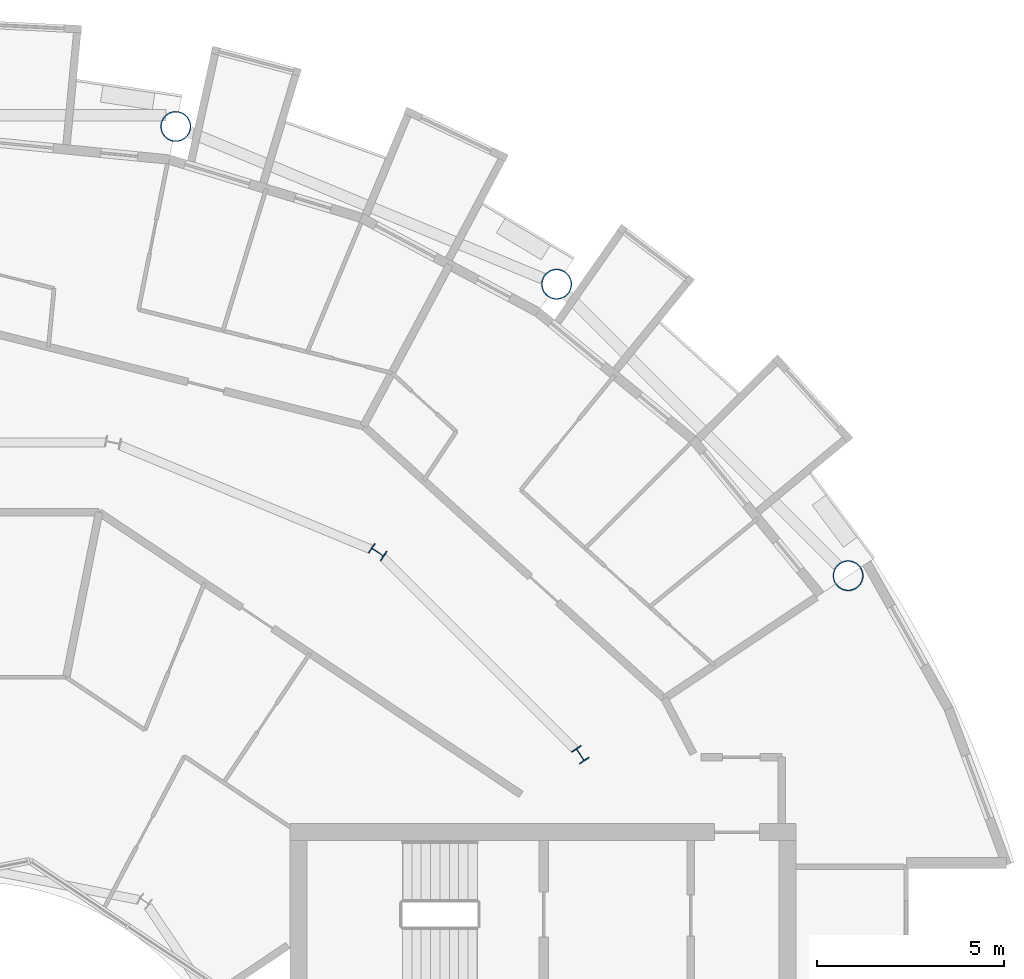
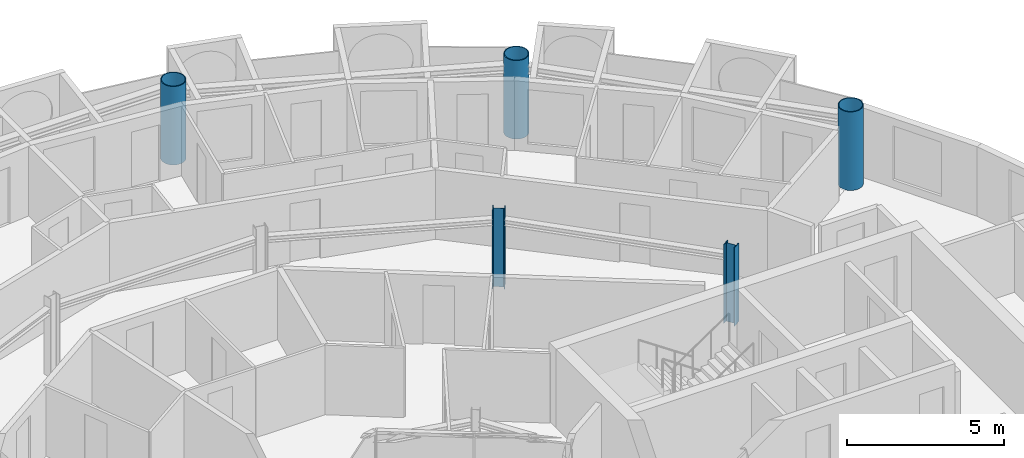
# One storey, part 5 of 28: 5 columns.
"""IFC4 building model written with IfcOpenShell, lengths in metres."""

from ifc_helpers import new_model, si_unit, direction, frame, origin, origin_2d, place, context, subcontext, project, spatial, hollow_circle, i_section, extrude, material, material_profile, profile_set, type_object, element, save


model = new_model("IFC4")

# Units and contexts
model_context = context("Model", 3, precision=1e-05, world=origin(), true_north=direction((0.0, 1.0)))
body_context = subcontext(model_context, "Body", "Model", "MODEL_VIEW")
ifc_project = project(units=[si_unit("LENGTHUNIT", "METRE"), si_unit("AREAUNIT", "SQUARE_METRE"), si_unit("VOLUMEUNIT", "CUBIC_METRE"), si_unit("PLANEANGLEUNIT", "RADIAN"), si_unit("MASSUNIT", "GRAM", prefix="KILO")], contexts=[model_context])

# Site, building, storey
site_placement = place(None, origin())
site = spatial("IfcSite", under=ifc_project, at=site_placement, CompositionType="ELEMENT")
building_placement = place(site_placement, origin())
building = spatial("IfcBuilding", under=site, at=building_placement, Name="Maasbend Ring Residences", CompositionType="ELEMENT")
storey_placement = place(building_placement, frame((0.0, 0.0, 196.300048828125)))
storey = spatial("IfcBuildingStorey", under=building, at=storey_placement, Name="L56", CompositionType="ELEMENT", Elevation=196.300048828125)

# Columns
ifc_material_1 = material(Name="Composite concrete-filled steel tube S460NH / C80/95", Category="concrete")
ifc_material_profile_1 = material_profile(ifc_material_1, hollow_circle(Radius=0.406494140625, WallThickness=0.030029296875, at=origin_2d()), Name="Composite tube column CHS 813x30")
ifc_profile_set_1 = profile_set([ifc_material_profile_1], Name="Composite concrete-filled steel tube S460NH / C80/95")
column_type_1 = type_object("IfcColumnType", Name="Composite tube column CHS 813x30", PredefinedType="COLUMN", material=ifc_profile_set_1)
for number, where, z_axis, x_axis, name in (
    (1, (23.447509765625, 15.6669921875, 0.0), (0.0, 0.0, 1.0), (1.0, 0.0, 0.0), "Outer column R2"),
    (2, (15.6669921875, 23.447509765625, 0.0), (0.0, 0.0, 1.0), (1.0, 0.0, 0.0), "Outer column R3"),
    (3, (5.50146484375, 27.658203125, 0.0), (0.0, 0.0, 1.0), (1.0, 0.0, 0.0), "Outer column R4"),
):
    element("IfcColumn", number, at=place(storey_placement, frame(where, z_axis=z_axis, x_axis=x_axis)), inside=storey, type_object=column_type_1, Name=name, PredefinedType="COLUMN", context=body_context, shape_type="SweptSolid", body=[
        extrude(hollow_circle(Radius=0.406494140625, WallThickness=0.030029296875, at=origin_2d()), origin(), (0.0, 0.0, 1.0), 3.050048828125),
    ])
ifc_material_2 = material(Name="Steel S355J2", Category="steel")
ifc_material_profile_2 = material_profile(ifc_material_2, i_section(OverallWidth=0.300048828125, OverallDepth=0.39990234375, WebThickness=0.013427734375, FlangeThickness=0.02392578125, FilletRadius=0.027099609375, at=origin_2d()), Name="HEB 400")
ifc_profile_set_2 = profile_set([ifc_material_profile_2], Name="Steel S355J2")
column_type_2 = type_object("IfcColumnType", Name="Steel column HEB 400", PredefinedType="COLUMN", material=ifc_profile_set_2)
for number, where, z_axis, x_axis, name in (
    (4, (16.296875, 10.88916015625, 0.0), (0.0, 0.0, 1.0), (0.831469612303, 0.55557023302, 0.0), "Corridor ring column R2"),
    (5, (10.88916015625, 16.296875, 0.0), (0.0, 0.0, 1.0), (0.55557023302, 0.831469612303, 0.0), "Corridor ring column R3"),
):
    element("IfcColumn", number, at=place(storey_placement, frame(where, z_axis=z_axis, x_axis=x_axis)), inside=storey, type_object=column_type_2, Name=name, PredefinedType="COLUMN", context=body_context, shape_type="SweptSolid", body=[
        extrude(i_section(OverallWidth=0.300048828125, OverallDepth=0.39990234375, WebThickness=0.013427734375, FlangeThickness=0.02392578125, FilletRadius=0.027099609375, at=origin_2d()), origin(), (0.0, 0.0, 1.0), 3.050048828125),
    ])

save(model, "model.ifc")
